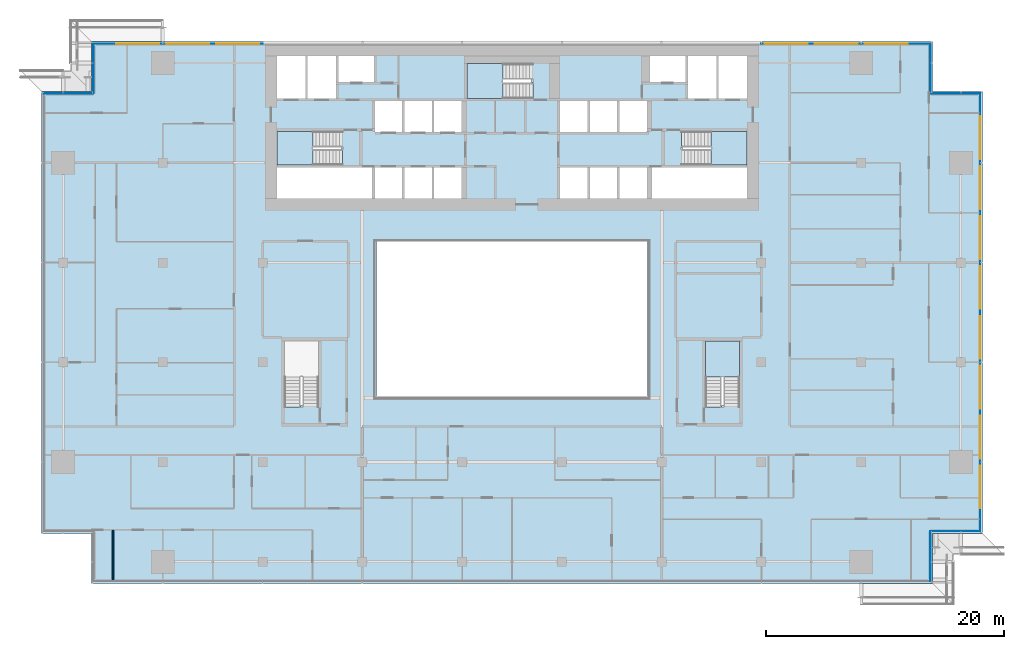
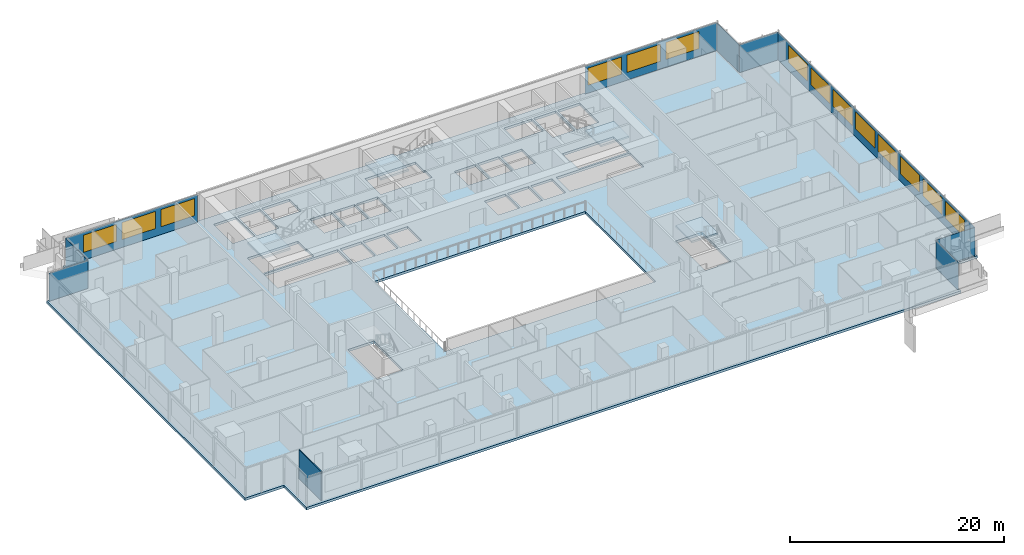
# One storey, part 17 of 30: 14 windows, 9 plates, 5 slabs, 1 wall, 14 openings, 12 elements without a shape of their own.
"""IFC4 building model written with IfcOpenShell, lengths in metres."""

import ifcopenshell
import ifcopenshell.guid

model = None  # the IFC model being written
_history = None  # IfcOwnerHistory: only IFC2X3 demands one
_inside = {}  # id of a spatial element -> (the spatial element, [elements in it])
_under = {}  # id of a project, library or spatial element -> (it, [spatial elements below it])
_declared = {}  # id of a project -> (the project, [libraries it declares])
_typed = {}  # id of a type object -> (the type object, [elements of that type])
_made_of = {}  # id of a material, layer set ... -> (it, [elements and type objects made of it])


def new_model(schema):
    """Start an empty IFC model of exactly this schema.

    Asked for "IFC4X3", IfcOpenShell would pick the latest addendum, in which some entities
    have other attributes; the version numbers below select the first issue.
    IFC2X3 requires an IfcOwnerHistory on every rooted entity: one is made here for all.
    """
    global model, _history
    if schema == "IFC4X3":
        model = ifcopenshell.file(schema_version=(4, 3, 0, 0))
    else:
        model = ifcopenshell.file(schema=schema)
    _inside.clear()
    _under.clear()
    _declared.clear()
    _typed.clear()
    _made_of.clear()
    _history = None
    if model.schema == "IFC2X3":
        org = make("IfcOrganization", Name="unknown")
        user = make(
            "IfcPersonAndOrganization",
            ThePerson=make("IfcPerson", FamilyName="unknown"),
            TheOrganization=org,
        )
        app = make(
            "IfcApplication",
            ApplicationDeveloper=org,
            Version="unknown",
            ApplicationFullName="unknown",
            ApplicationIdentifier="unknown",
        )
        _history = make(
            "IfcOwnerHistory",
            OwningUser=user,
            OwningApplication=app,
            ChangeAction="ADDED",
            CreationDate=0,
        )
    return model


def make(cls, **values):
    """One entity of the class cls with the attributes given. An attribute that is None is left unset."""
    return model.create_entity(
        cls, **{name: value for name, value in values.items() if value is not None}
    )


def rooted(cls, **values):
    """An entity with a GlobalId (a new one), such as an element, a storey or a relation."""
    return make(cls, GlobalId=ifcopenshell.guid.new(), OwnerHistory=_history, **values)


def si_unit(unit_type, name, prefix=None):
    """IfcSIUnit, for example si_unit("LENGTHUNIT", "METRE", prefix="MILLI")."""
    return make("IfcSIUnit", UnitType=unit_type, Prefix=prefix, Name=name)


def assignment(units):
    """IfcUnitAssignment: the units of a project."""
    return None if units is None else make("IfcUnitAssignment", Units=units)


def point(xyz):
    """IfcCartesianPoint."""
    return None if xyz is None else make("IfcCartesianPoint", Coordinates=xyz)


def direction(xyz):
    """IfcDirection."""
    return None if xyz is None else make("IfcDirection", DirectionRatios=xyz)


def frame(location, z_axis=None, x_axis=None):
    """IfcAxis2Placement3D, a coordinate frame: its origin and axes. An axis left out is left unset."""
    return make(
        "IfcAxis2Placement3D",
        Location=point(location),
        Axis=direction(z_axis),
        RefDirection=direction(x_axis),
    )


def frame_2d(location, x_axis=None):
    """IfcAxis2Placement2D, a coordinate frame in the plane: its origin and x axis."""
    return make(
        "IfcAxis2Placement2D", Location=point(location), RefDirection=direction(x_axis)
    )


def origin():
    """The frame at (0, 0, 0) with its axes left unset."""
    return frame((0.0, 0.0, 0.0))


def place(relative_to, where):
    """IfcLocalPlacement: puts the frame where relative to a parent placement (None: the world)."""
    return make(
        "IfcLocalPlacement", PlacementRelTo=relative_to, RelativePlacement=where
    )


def context(
    kind, dimensions, precision=None, world=None, true_north=None, identifier=None
):
    """IfcGeometricRepresentationContext, for example the 3D "Model" context."""
    return make(
        "IfcGeometricRepresentationContext",
        ContextIdentifier=identifier,
        ContextType=kind,
        CoordinateSpaceDimension=dimensions,
        Precision=precision,
        WorldCoordinateSystem=world,
        TrueNorth=true_north,
    )


def subcontext(parent, identifier, kind, view, scale=None):
    """IfcGeometricRepresentationSubContext, for example "Body" below "Model"."""
    return make(
        "IfcGeometricRepresentationSubContext",
        ContextIdentifier=identifier,
        ContextType=kind,
        ParentContext=parent,
        TargetScale=scale,
        TargetView=view,
    )


def project(units=None, contexts=None):
    """IfcProject with its units and contexts."""
    return rooted(
        "IfcProject",
        Name="project",
        RepresentationContexts=contexts,
        UnitsInContext=assignment(units),
    )


def spatial(cls, under=None, at=None, **own):
    """A site, building, storey or space (cls), placed at a placement, below another one or the project."""
    s = rooted(cls, ObjectPlacement=at, **own)
    if under is not None:
        _under.setdefault(under.id(), (under, []))[1].append(s)
    return s


def polyline(points):
    """IfcPolyline through the points."""
    return make("IfcPolyline", Points=[point(p) for p in points])


def profile(cls, at=None, kind="AREA", **sizes):
    """A parametric profile (cls). Its sizes go by their IFC names, for example OverallWidth=200.0."""
    return make(cls, ProfileType=kind, Position=at, **sizes)


def rectangle(**sizes):
    """IfcRectangleProfileDef."""
    return profile("IfcRectangleProfileDef", **sizes)


def outline(outer, holes=None, kind="AREA"):
    """IfcArbitraryClosedProfileDef: a profile drawn as a closed curve; with holes, ...WithVoids."""
    if holes is None:
        return make("IfcArbitraryClosedProfileDef", ProfileType=kind, OuterCurve=outer)
    return make(
        "IfcArbitraryProfileDefWithVoids",
        ProfileType=kind,
        OuterCurve=outer,
        InnerCurves=holes,
    )


def extrude(swept, where, along, depth):
    """IfcExtrudedAreaSolid: the profile swept, set in the frame where, extruded along a direction by depth."""
    return make(
        "IfcExtrudedAreaSolid",
        SweptArea=swept,
        Position=where,
        ExtrudedDirection=direction(along),
        Depth=depth,
    )


def shape(context_of_items, identifier, shape_type, items):
    """IfcShapeRepresentation: the items that make up one representation, for example the "Body"."""
    return make(
        "IfcShapeRepresentation",
        ContextOfItems=context_of_items,
        RepresentationIdentifier=identifier,
        RepresentationType=shape_type,
        Items=items,
    )


def material(Name=None, Category=None):
    """IfcMaterial."""
    return make("IfcMaterial", Name=Name, Category=Category)


def layer(
    of_material, thickness, ventilated=None, Name=None, Category=None, Priority=None
):
    """IfcMaterialLayer: one layer of a wall or slab, of a material (None: an air gap)."""
    return make(
        "IfcMaterialLayer",
        Material=of_material,
        LayerThickness=thickness,
        IsVentilated=ventilated,
        Name=Name,
        Category=Category,
        Priority=Priority,
    )


def layer_set(layers, Name=None):
    """IfcMaterialLayerSet."""
    return make("IfcMaterialLayerSet", MaterialLayers=layers, LayerSetName=Name)


def made_of(thing, what):
    """Note that an element or type object is made of a material, layer set ...; save() writes the relation."""
    if what is not None:
        _made_of.setdefault(what.id(), (what, []))[1].append(thing)
    return thing


def type_object(cls, material=None, **own):
    """A type object (cls), such as IfcWallType, which elements share."""
    return made_of(rooted(cls, **own), material)


def element(
    cls,
    number,
    at=None,
    inside=None,
    cuts=None,
    type_object=None,
    material=None,
    context=None,
    identifier="Body",
    shape_type=None,
    held_by="IfcProductDefinitionShape",
    body=None,
    shapes=None,
    **own,
):
    """One element of the class cls, such as IfcWall. Its Tag is "e" and its number.

    at: its placement. inside: the storey or other place that contains it. cuts: it is an
    opening in that element (IfcRelVoidsElement). A single representation is given by context,
    identifier, shape_type and body (its items); several are given by shapes. held_by: the class
    of the entity that holds the representations. save() writes the other relations.
    """
    e = rooted(cls, Tag="e%d" % number, ObjectPlacement=at, **own)
    if body is not None:
        shapes = [shape(context, identifier, shape_type, body)]
    if shapes is not None:
        e.Representation = make(held_by, Representations=shapes)
    if inside is not None:
        _inside.setdefault(inside.id(), (inside, []))[1].append(e)
    if cuts is not None:
        rooted(
            "IfcRelVoidsElement", RelatingBuildingElement=cuts, RelatedOpeningElement=e
        )
    if type_object is not None:
        _typed.setdefault(type_object.id(), (type_object, []))[1].append(e)
    return made_of(e, material)


def fill(opening, filler):
    """IfcRelFillsElement: the door or window that sits in an opening."""
    return rooted(
        "IfcRelFillsElement",
        RelatingOpeningElement=opening,
        RelatedBuildingElement=filler,
    )


def aggregate(whole, parts):
    """IfcRelAggregates: a whole, such as a stair, and the parts it consists of."""
    return rooted("IfcRelAggregates", RelatingObject=whole, RelatedObjects=parts)


def save(model, path):
    """Write the relations noted so far, then the file.

    IfcRelAggregates (storeys below a building ...), IfcRelContainedInSpatialStructure (elements
    in a storey), IfcRelDefinesByType, IfcRelAssociatesMaterial and IfcRelDeclares: one each for
    every whole, place, type object, material and project.
    """
    for whole, parts in _under.values():
        aggregate(whole, parts)
    for where, things in _inside.values():
        rooted(
            "IfcRelContainedInSpatialStructure",
            RelatedElements=things,
            RelatingStructure=where,
        )
    for kind, things in _typed.values():
        rooted("IfcRelDefinesByType", RelatedObjects=things, RelatingType=kind)
    for what, things in _made_of.values():
        rooted("IfcRelAssociatesMaterial", RelatedObjects=things, RelatingMaterial=what)
    for by, libraries in _declared.values():
        rooted("IfcRelDeclares", RelatingContext=by, RelatedDefinitions=libraries)
    model.write(path)


model = new_model("IFC4")

# Units and contexts
model_context = context("Model", 3, precision=1e-05, world=origin(), true_north=direction((0.0, 1.0)))
body_context = subcontext(model_context, "Body", "Model", "MODEL_VIEW")
ifc_project = project(units=[si_unit("LENGTHUNIT", "METRE"), si_unit("AREAUNIT", "SQUARE_METRE"), si_unit("VOLUMEUNIT", "CUBIC_METRE"), si_unit("PLANEANGLEUNIT", "RADIAN"), si_unit("MASSUNIT", "GRAM", prefix="KILO")], contexts=[model_context])

# Site, building, storey
site_placement = place(None, origin())
site = spatial("IfcSite", under=ifc_project, at=site_placement, CompositionType="ELEMENT")
building_placement = place(site_placement, origin())
building = spatial("IfcBuilding", under=site, at=building_placement, Name="Saffron Gate Tower", CompositionType="ELEMENT")
storey_placement = place(building_placement, frame((0.0, 0.0, 127.64990234375)))
storey = spatial("IfcBuildingStorey", under=building, at=storey_placement, Name="L30", CompositionType="ELEMENT", Elevation=127.64990234375)

# Curtain wall, plate, openings, windows
ifc_material_1 = material(Name="Aluminium, bronze anodised", Category="aluminium")
curtain_wall_type_1 = type_object("IfcCurtainWallType", Name="CWS2 curtain wall side facades", PredefinedType="NOTDEFINED", material=ifc_material_1)
curtain_wall_1_placement = place(storey_placement, origin())
curtain_wall_1 = element("IfcCurtainWall", 1, at=curtain_wall_1_placement, inside=storey, type_object=curtain_wall_type_1, Name="CWS2 run 4", PredefinedType="NOTDEFINED")
ifc_material_2 = material(Name="Fritted bronze-tinted laminated glass", Category="glass")
ifc_layer_1 = layer(ifc_material_2, 0.028076171875)
ifc_layer_set_1 = layer_set([ifc_layer_1], Name="CWS2 fixed glass")
plate_type_1 = type_object("IfcPlateType", Name="CWS2 fixed glass", PredefinedType="CURTAIN_PANEL", material=ifc_layer_set_1)
plate_1_placement = place(storey_placement, frame((127.02587890625, 34.387939453125, 0.0), z_axis=(0.0, 0.0, 1.0), x_axis=(0.0, 1.0, 0.0)))
plate_1 = element("IfcPlate", 2, at=plate_1_placement, type_object=plate_type_1, Name="CWS2 glass panel", PredefinedType="CURTAIN_PANEL", context=body_context, shape_type="SweptSolid", body=[
    extrude(rectangle(XDim=36.823974609375, YDim=0.028076171875, at=frame_2d((18.412109375, 0.0))), origin(), (0.0, 0.0, 1.0), 3.2001953125),
])
opening_1_placement = place(plate_1_placement, frame((1.912109375, 0.0, 0.89990234375)))
opening_1 = element("IfcOpeningElement", 3, at=opening_1_placement, cuts=plate_1, Name="Opening W1", PredefinedType="OPENING", context=body_context, shape_type="SweptSolid", body=[
    extrude(rectangle(XDim=3.60009765625, YDim=1.949951171875, at=frame_2d((1.800048828125, 0.97509765625))), frame((0.0, 0.02392578125, 0.0), z_axis=(0.0, -1.0, 0.0), x_axis=(1.0, 0.0, 0.0)), (0.0, 0.0, 1.0), 0.048095703125),
])
opening_2_placement = place(plate_1_placement, frame((6.112060546875, 0.0, 0.89990234375)))
opening_2 = element("IfcOpeningElement", 4, at=opening_2_placement, cuts=plate_1, Name="Opening W1", PredefinedType="OPENING", context=body_context, shape_type="SweptSolid", body=[
    extrude(rectangle(XDim=3.60009765625, YDim=1.949951171875, at=frame_2d((1.800048828125, 0.97509765625))), frame((0.0, 0.02392578125, 0.0), z_axis=(0.0, -1.0, 0.0), x_axis=(1.0, 0.0, 0.0)), (0.0, 0.0, 1.0), 0.048095703125),
])
opening_3_placement = place(plate_1_placement, frame((10.31201171875, 0.0, 0.89990234375)))
opening_3 = element("IfcOpeningElement", 5, at=opening_3_placement, cuts=plate_1, Name="Opening W1", PredefinedType="OPENING", context=body_context, shape_type="SweptSolid", body=[
    extrude(rectangle(XDim=3.60009765625, YDim=1.949951171875, at=frame_2d((1.800048828125, 0.97509765625))), frame((0.0, 0.02392578125, 0.0), z_axis=(0.0, -1.0, 0.0), x_axis=(1.0, 0.0, 0.0)), (0.0, 0.0, 1.0), 0.048095703125),
])
opening_4_placement = place(plate_1_placement, frame((14.511962890625, 0.0, 0.89990234375)))
opening_4 = element("IfcOpeningElement", 6, at=opening_4_placement, cuts=plate_1, Name="Opening W1", PredefinedType="OPENING", context=body_context, shape_type="SweptSolid", body=[
    extrude(rectangle(XDim=3.60009765625, YDim=1.949951171875, at=frame_2d((1.800048828125, 0.97509765625))), frame((0.0, 0.02392578125, 0.0), z_axis=(0.0, -1.0, 0.0), x_axis=(1.0, 0.0, 0.0)), (0.0, 0.0, 1.0), 0.048095703125),
])
opening_5_placement = place(plate_1_placement, frame((18.7119140625, 0.0, 0.89990234375)))
opening_5 = element("IfcOpeningElement", 7, at=opening_5_placement, cuts=plate_1, Name="Opening W1", PredefinedType="OPENING", context=body_context, shape_type="SweptSolid", body=[
    extrude(rectangle(XDim=3.60009765625, YDim=1.949951171875, at=frame_2d((1.800048828125, 0.97509765625))), frame((0.0, 0.02392578125, 0.0), z_axis=(0.0, -1.0, 0.0), x_axis=(1.0, 0.0, 0.0)), (0.0, 0.0, 1.0), 0.048095703125),
])
opening_6_placement = place(plate_1_placement, frame((22.912109375, 0.0, 0.89990234375)))
opening_6 = element("IfcOpeningElement", 8, at=opening_6_placement, cuts=plate_1, Name="Opening W1", PredefinedType="OPENING", context=body_context, shape_type="SweptSolid", body=[
    extrude(rectangle(XDim=3.60009765625, YDim=1.949951171875, at=frame_2d((1.800048828125, 0.97509765625))), frame((0.0, 0.02392578125, 0.0), z_axis=(0.0, -1.0, 0.0), x_axis=(1.0, 0.0, 0.0)), (0.0, 0.0, 1.0), 0.048095703125),
])
opening_7_placement = place(plate_1_placement, frame((27.112060546875, 0.0, 0.89990234375)))
opening_7 = element("IfcOpeningElement", 9, at=opening_7_placement, cuts=plate_1, Name="Opening W1", PredefinedType="OPENING", context=body_context, shape_type="SweptSolid", body=[
    extrude(rectangle(XDim=3.60009765625, YDim=1.949951171875, at=frame_2d((1.800048828125, 0.97509765625))), frame((0.0, 0.02392578125, 0.0), z_axis=(0.0, -1.0, 0.0), x_axis=(1.0, 0.0, 0.0)), (0.0, 0.0, 1.0), 0.048095703125),
])
opening_8_placement = place(plate_1_placement, frame((31.31201171875, 0.0, 0.89990234375)))
opening_8 = element("IfcOpeningElement", 10, at=opening_8_placement, cuts=plate_1, Name="Opening W1", PredefinedType="OPENING", context=body_context, shape_type="SweptSolid", body=[
    extrude(rectangle(XDim=3.60009765625, YDim=1.949951171875, at=frame_2d((1.800048828125, 0.97509765625))), frame((0.0, 0.02392578125, 0.0), z_axis=(0.0, -1.0, 0.0), x_axis=(1.0, 0.0, 0.0)), (0.0, 0.0, 1.0), 0.048095703125),
])
ifc_material_3 = material(Name="Fritted bronze-tinted laminated glass in bronze frame", Category="glass")
ifc_layer_2 = layer(ifc_material_3, 0.06005859375)
ifc_layer_set_2 = layer_set([ifc_layer_2], Name="W1 operable panel 3600x1950")
window_type = type_object("IfcWindowType", Name="W1 operable panel 3600x1950", PartitioningType="DOUBLE_PANEL_HORIZONTAL", PredefinedType="WINDOW", material=ifc_layer_set_2)
window_1_placement = place(opening_1_placement, origin())
window_1 = element("IfcWindow", 11, at=window_1_placement, type_object=window_type, Name="W1 operable panel", OverallHeight=1.949951171875, OverallWidth=3.60009765625, PartitioningType="SINGLE_PANEL", PredefinedType="WINDOW", context=body_context, shape_type="SweptSolid", body=[
    extrude(rectangle(XDim=3.60009765625, YDim=1.949951171875, at=frame_2d((1.800048828125, 0.97509765625))), frame((0.0, 0.013671875, 0.0), z_axis=(0.0, -1.0, 0.0), x_axis=(1.0, 0.0, 0.0)), (0.0, 0.0, 1.0), 0.027587890625),
])
fill(opening_1, window_1)
window_2_placement = place(opening_2_placement, origin())
window_2 = element("IfcWindow", 12, at=window_2_placement, type_object=window_type, Name="W1 operable panel", OverallHeight=1.949951171875, OverallWidth=3.60009765625, PartitioningType="SINGLE_PANEL", PredefinedType="WINDOW", context=body_context, shape_type="SweptSolid", body=[
    extrude(rectangle(XDim=3.60009765625, YDim=1.949951171875, at=frame_2d((1.800048828125, 0.97509765625))), frame((0.0, 0.013671875, 0.0), z_axis=(0.0, -1.0, 0.0), x_axis=(1.0, 0.0, 0.0)), (0.0, 0.0, 1.0), 0.027587890625),
])
fill(opening_2, window_2)
window_3_placement = place(opening_3_placement, origin())
window_3 = element("IfcWindow", 13, at=window_3_placement, type_object=window_type, Name="W1 operable panel", OverallHeight=1.949951171875, OverallWidth=3.60009765625, PartitioningType="SINGLE_PANEL", PredefinedType="WINDOW", context=body_context, shape_type="SweptSolid", body=[
    extrude(rectangle(XDim=3.60009765625, YDim=1.949951171875, at=frame_2d((1.800048828125, 0.97509765625))), frame((0.0, 0.013671875, 0.0), z_axis=(0.0, -1.0, 0.0), x_axis=(1.0, 0.0, 0.0)), (0.0, 0.0, 1.0), 0.027587890625),
])
fill(opening_3, window_3)
window_4_placement = place(opening_4_placement, origin())
window_4 = element("IfcWindow", 14, at=window_4_placement, type_object=window_type, Name="W1 operable panel", OverallHeight=1.949951171875, OverallWidth=3.60009765625, PartitioningType="SINGLE_PANEL", PredefinedType="WINDOW", context=body_context, shape_type="SweptSolid", body=[
    extrude(rectangle(XDim=3.60009765625, YDim=1.949951171875, at=frame_2d((1.800048828125, 0.97509765625))), frame((0.0, 0.013671875, 0.0), z_axis=(0.0, -1.0, 0.0), x_axis=(1.0, 0.0, 0.0)), (0.0, 0.0, 1.0), 0.027587890625),
])
fill(opening_4, window_4)
window_5_placement = place(opening_5_placement, origin())
window_5 = element("IfcWindow", 15, at=window_5_placement, type_object=window_type, Name="W1 operable panel", OverallHeight=1.949951171875, OverallWidth=3.60009765625, PartitioningType="SINGLE_PANEL", PredefinedType="WINDOW", context=body_context, shape_type="SweptSolid", body=[
    extrude(rectangle(XDim=3.60009765625, YDim=1.949951171875, at=frame_2d((1.800048828125, 0.97509765625))), frame((0.0, 0.013671875, 0.0), z_axis=(0.0, -1.0, 0.0), x_axis=(1.0, 0.0, 0.0)), (0.0, 0.0, 1.0), 0.027587890625),
])
fill(opening_5, window_5)
window_6_placement = place(opening_6_placement, origin())
window_6 = element("IfcWindow", 16, at=window_6_placement, type_object=window_type, Name="W1 operable panel", OverallHeight=1.949951171875, OverallWidth=3.60009765625, PartitioningType="SINGLE_PANEL", PredefinedType="WINDOW", context=body_context, shape_type="SweptSolid", body=[
    extrude(rectangle(XDim=3.60009765625, YDim=1.949951171875, at=frame_2d((1.800048828125, 0.97509765625))), frame((0.0, 0.013671875, 0.0), z_axis=(0.0, -1.0, 0.0), x_axis=(1.0, 0.0, 0.0)), (0.0, 0.0, 1.0), 0.027587890625),
])
fill(opening_6, window_6)
window_7_placement = place(opening_7_placement, origin())
window_7 = element("IfcWindow", 17, at=window_7_placement, type_object=window_type, Name="W1 operable panel", OverallHeight=1.949951171875, OverallWidth=3.60009765625, PartitioningType="SINGLE_PANEL", PredefinedType="WINDOW", context=body_context, shape_type="SweptSolid", body=[
    extrude(rectangle(XDim=3.60009765625, YDim=1.949951171875, at=frame_2d((1.800048828125, 0.97509765625))), frame((0.0, 0.013671875, 0.0), z_axis=(0.0, -1.0, 0.0), x_axis=(1.0, 0.0, 0.0)), (0.0, 0.0, 1.0), 0.027587890625),
])
fill(opening_7, window_7)
window_8_placement = place(opening_8_placement, origin())
window_8 = element("IfcWindow", 18, at=window_8_placement, type_object=window_type, Name="W1 operable panel", OverallHeight=1.949951171875, OverallWidth=3.60009765625, PartitioningType="SINGLE_PANEL", PredefinedType="WINDOW", context=body_context, shape_type="SweptSolid", body=[
    extrude(rectangle(XDim=3.60009765625, YDim=1.949951171875, at=frame_2d((1.800048828125, 0.97509765625))), frame((0.0, 0.013671875, 0.0), z_axis=(0.0, -1.0, 0.0), x_axis=(1.0, 0.0, 0.0)), (0.0, 0.0, 1.0), 0.027587890625),
])
fill(opening_8, window_8)
aggregate(curtain_wall_1, [plate_1, window_1, window_2, window_3, window_4, window_5, window_6, window_7, window_8])

# Curtain wall, plates, openings, windows
curtain_wall_type_2 = type_object("IfcCurtainWallType", Name="CWS3 curtain wall rear facade", PredefinedType="NOTDEFINED", material=ifc_material_1)
curtain_wall_2_placement = place(storey_placement, origin())
curtain_wall_2 = element("IfcCurtainWall", 19, at=curtain_wall_2_placement, inside=storey, type_object=curtain_wall_type_2, Name="CWS3 run 7", PredefinedType="NOTDEFINED")
ifc_material_4 = material(Name="Fritted grey-tinted laminated glass", Category="glass")
ifc_layer_3 = layer(ifc_material_4, 0.028076171875)
ifc_layer_set_3 = layer_set([ifc_layer_3], Name="CWS3 fixed glass")
plate_type_2 = type_object("IfcPlateType", Name="CWS3 fixed glass", PredefinedType="CURTAIN_PANEL", material=ifc_layer_set_3)
plate_2_placement = place(storey_placement, frame((122.81201171875, 75.426025390625, 0.0), z_axis=(0.0, 0.0, 1.0), x_axis=(-1.0, 0.0, 0.0)))
plate_2 = element("IfcPlate", 20, at=plate_2_placement, type_object=plate_type_2, Name="CWS3 glass panel", PredefinedType="CURTAIN_PANEL", context=body_context, shape_type="SweptSolid", body=[
    extrude(rectangle(XDim=14.2470703125, YDim=0.028076171875, at=frame_2d((7.12353515625, 0.0))), origin(), (0.0, 0.0, 1.0), 3.2001953125),
])
opening_9_placement = place(plate_2_placement, frame((1.912109375, 0.0, 0.89990234375)))
opening_9 = element("IfcOpeningElement", 21, at=opening_9_placement, cuts=plate_2, Name="Opening W1", PredefinedType="OPENING", context=body_context, shape_type="SweptSolid", body=[
    extrude(rectangle(XDim=3.60009765625, YDim=1.949951171875, at=frame_2d((1.800048828125, 0.97509765625))), frame((0.0, 0.02392578125, 0.0), z_axis=(0.0, -1.0, 0.0), x_axis=(1.0, 0.0, 0.0)), (0.0, 0.0, 1.0), 0.048095703125),
])
opening_10_placement = place(plate_2_placement, frame((6.112060546875, 0.0, 0.89990234375)))
opening_10 = element("IfcOpeningElement", 22, at=opening_10_placement, cuts=plate_2, Name="Opening W1", PredefinedType="OPENING", context=body_context, shape_type="SweptSolid", body=[
    extrude(rectangle(XDim=3.60009765625, YDim=1.949951171875, at=frame_2d((1.800048828125, 0.97509765625))), frame((0.0, 0.02392578125, 0.0), z_axis=(0.0, -1.0, 0.0), x_axis=(1.0, 0.0, 0.0)), (0.0, 0.0, 1.0), 0.048095703125),
])
opening_11_placement = place(plate_2_placement, frame((10.31201171875, 0.0, 0.89990234375)))
opening_11 = element("IfcOpeningElement", 23, at=opening_11_placement, cuts=plate_2, Name="Opening W1", PredefinedType="OPENING", context=body_context, shape_type="SweptSolid", body=[
    extrude(rectangle(XDim=3.60009765625, YDim=1.949951171875, at=frame_2d((1.800048828125, 0.97509765625))), frame((0.0, 0.02392578125, 0.0), z_axis=(0.0, -1.0, 0.0), x_axis=(1.0, 0.0, 0.0)), (0.0, 0.0, 1.0), 0.048095703125),
])
window_9_placement = place(opening_9_placement, origin())
window_9 = element("IfcWindow", 24, at=window_9_placement, type_object=window_type, Name="W1 operable panel", OverallHeight=1.949951171875, OverallWidth=3.60009765625, PartitioningType="SINGLE_PANEL", PredefinedType="WINDOW", context=body_context, shape_type="SweptSolid", body=[
    extrude(rectangle(XDim=3.60009765625, YDim=1.949951171875, at=frame_2d((1.800048828125, 0.97509765625))), frame((0.0, 0.013671875, 0.0), z_axis=(0.0, -1.0, 0.0), x_axis=(1.0, 0.0, 0.0)), (0.0, 0.0, 1.0), 0.027587890625),
])
fill(opening_9, window_9)
window_10_placement = place(opening_10_placement, origin())
window_10 = element("IfcWindow", 25, at=window_10_placement, type_object=window_type, Name="W1 operable panel", OverallHeight=1.949951171875, OverallWidth=3.60009765625, PartitioningType="SINGLE_PANEL", PredefinedType="WINDOW", context=body_context, shape_type="SweptSolid", body=[
    extrude(rectangle(XDim=3.60009765625, YDim=1.949951171875, at=frame_2d((1.800048828125, 0.97509765625))), frame((0.0, 0.013671875, 0.0), z_axis=(0.0, -1.0, 0.0), x_axis=(1.0, 0.0, 0.0)), (0.0, 0.0, 1.0), 0.027587890625),
])
fill(opening_10, window_10)
window_11_placement = place(opening_11_placement, origin())
window_11 = element("IfcWindow", 26, at=window_11_placement, type_object=window_type, Name="W1 operable panel", OverallHeight=1.949951171875, OverallWidth=3.60009765625, PartitioningType="SINGLE_PANEL", PredefinedType="WINDOW", context=body_context, shape_type="SweptSolid", body=[
    extrude(rectangle(XDim=3.60009765625, YDim=1.949951171875, at=frame_2d((1.800048828125, 0.97509765625))), frame((0.0, 0.013671875, 0.0), z_axis=(0.0, -1.0, 0.0), x_axis=(1.0, 0.0, 0.0)), (0.0, 0.0, 1.0), 0.027587890625),
])
fill(opening_11, window_11)
plate_3_placement = place(storey_placement, frame((66.635009765625, 75.426025390625, 0.0), z_axis=(0.0, 0.0, 1.0), x_axis=(-1.0, 0.0, 0.0)))
plate_3 = element("IfcPlate", 27, at=plate_3_placement, type_object=plate_type_2, Name="CWS3 glass panel", PredefinedType="CURTAIN_PANEL", context=body_context, shape_type="SweptSolid", body=[
    extrude(rectangle(XDim=14.2470703125, YDim=0.028076171875, at=frame_2d((7.12353515625, 0.0))), origin(), (0.0, 0.0, 1.0), 3.2001953125),
])
opening_12_placement = place(plate_3_placement, frame((0.3349609375, 0.0, 0.89990234375)))
opening_12 = element("IfcOpeningElement", 28, at=opening_12_placement, cuts=plate_3, Name="Opening W1", PredefinedType="OPENING", context=body_context, shape_type="SweptSolid", body=[
    extrude(rectangle(XDim=3.60009765625, YDim=1.949951171875, at=frame_2d((1.800048828125, 0.97509765625))), frame((0.0, 0.02392578125, 0.0), z_axis=(0.0, -1.0, 0.0), x_axis=(1.0, 0.0, 0.0)), (0.0, 0.0, 1.0), 0.048095703125),
])
opening_13_placement = place(plate_3_placement, frame((4.534912109375, 0.0, 0.89990234375)))
opening_13 = element("IfcOpeningElement", 29, at=opening_13_placement, cuts=plate_3, Name="Opening W1", PredefinedType="OPENING", context=body_context, shape_type="SweptSolid", body=[
    extrude(rectangle(XDim=3.60009765625, YDim=1.949951171875, at=frame_2d((1.800048828125, 0.97509765625))), frame((0.0, 0.02392578125, 0.0), z_axis=(0.0, -1.0, 0.0), x_axis=(1.0, 0.0, 0.0)), (0.0, 0.0, 1.0), 0.048095703125),
])
opening_14_placement = place(plate_3_placement, frame((8.735107421875, 0.0, 0.89990234375)))
opening_14 = element("IfcOpeningElement", 30, at=opening_14_placement, cuts=plate_3, Name="Opening W1", PredefinedType="OPENING", context=body_context, shape_type="SweptSolid", body=[
    extrude(rectangle(XDim=3.60009765625, YDim=1.949951171875, at=frame_2d((1.800048828125, 0.97509765625))), frame((0.0, 0.02392578125, 0.0), z_axis=(0.0, -1.0, 0.0), x_axis=(1.0, 0.0, 0.0)), (0.0, 0.0, 1.0), 0.048095703125),
])
window_12_placement = place(opening_12_placement, origin())
window_12 = element("IfcWindow", 31, at=window_12_placement, type_object=window_type, Name="W1 operable panel", OverallHeight=1.949951171875, OverallWidth=3.60009765625, PartitioningType="SINGLE_PANEL", PredefinedType="WINDOW", context=body_context, shape_type="SweptSolid", body=[
    extrude(rectangle(XDim=3.60009765625, YDim=1.949951171875, at=frame_2d((1.800048828125, 0.97509765625))), frame((0.0, 0.013671875, 0.0), z_axis=(0.0, -1.0, 0.0), x_axis=(1.0, 0.0, 0.0)), (0.0, 0.0, 1.0), 0.027587890625),
])
fill(opening_12, window_12)
window_13_placement = place(opening_13_placement, origin())
window_13 = element("IfcWindow", 32, at=window_13_placement, type_object=window_type, Name="W1 operable panel", OverallHeight=1.949951171875, OverallWidth=3.60009765625, PartitioningType="SINGLE_PANEL", PredefinedType="WINDOW", context=body_context, shape_type="SweptSolid", body=[
    extrude(rectangle(XDim=3.60009765625, YDim=1.949951171875, at=frame_2d((1.800048828125, 0.97509765625))), frame((0.0, 0.013671875, 0.0), z_axis=(0.0, -1.0, 0.0), x_axis=(1.0, 0.0, 0.0)), (0.0, 0.0, 1.0), 0.027587890625),
])
fill(opening_13, window_13)
window_14_placement = place(opening_14_placement, origin())
window_14 = element("IfcWindow", 33, at=window_14_placement, type_object=window_type, Name="W1 operable panel", OverallHeight=1.949951171875, OverallWidth=3.60009765625, PartitioningType="SINGLE_PANEL", PredefinedType="WINDOW", context=body_context, shape_type="SweptSolid", body=[
    extrude(rectangle(XDim=3.60009765625, YDim=1.949951171875, at=frame_2d((1.800048828125, 0.97509765625))), frame((0.0, 0.013671875, 0.0), z_axis=(0.0, -1.0, 0.0), x_axis=(1.0, 0.0, 0.0)), (0.0, 0.0, 1.0), 0.027587890625),
])
fill(opening_14, window_14)
aggregate(curtain_wall_2, [plate_2, plate_3, window_9, window_10, window_11, window_12, window_13, window_14])

# Curtain wall, plate
curtain_wall_type_3 = type_object("IfcCurtainWallType", Name="CWS4 curtain wall corner returns", PredefinedType="NOTDEFINED", material=ifc_material_1)
curtain_wall_3_placement = place(storey_placement, origin())
curtain_wall_3 = element("IfcCurtainWall", 34, at=curtain_wall_3_placement, inside=storey, type_object=curtain_wall_type_3, Name="CWS4 run 2", PredefinedType="NOTDEFINED")
ifc_layer_4 = layer(ifc_material_2, 0.028076171875)
ifc_layer_set_4 = layer_set([ifc_layer_4], Name="CWS4 fixed glass")
plate_type_3 = type_object("IfcPlateType", Name="CWS4 fixed glass", PredefinedType="CURTAIN_PANEL", material=ifc_layer_set_4)
plate_4_placement = place(storey_placement, frame((122.825927734375, 30.18798828125, 0.0), z_axis=(0.0, 0.0, 1.0), x_axis=(0.0, 1.0, 0.0)))
plate_4 = element("IfcPlate", 35, at=plate_4_placement, type_object=plate_type_3, Name="CWS4 glass panel", PredefinedType="CURTAIN_PANEL", context=body_context, shape_type="SweptSolid", body=[
    extrude(rectangle(XDim=4.172119140625, YDim=0.028076171875, at=frame_2d((2.0859375, 0.0))), origin(), (0.0, 0.0, 1.0), 3.2001953125),
])
aggregate(curtain_wall_3, [plate_4])

curtain_wall_4_placement = place(storey_placement, origin())
curtain_wall_4 = element("IfcCurtainWall", 36, at=curtain_wall_4_placement, inside=storey, type_object=curtain_wall_type_3, Name="CWS4 run 3", PredefinedType="NOTDEFINED")
plate_5_placement = place(storey_placement, frame((122.840087890625, 34.3740234375, 0.0), z_axis=(0.0, 0.0, 1.0), x_axis=(1.0, 0.0, 0.0)))
plate_5 = element("IfcPlate", 37, at=plate_5_placement, type_object=plate_type_3, Name="CWS4 glass panel", PredefinedType="CURTAIN_PANEL", context=body_context, shape_type="SweptSolid", body=[
    extrude(rectangle(XDim=4.171875, YDim=0.028076171875, at=frame_2d((2.0859375, 0.0))), origin(), (0.0, 0.0, 1.0), 3.2001953125),
])
aggregate(curtain_wall_4, [plate_5])

curtain_wall_5_placement = place(storey_placement, origin())
curtain_wall_5 = element("IfcCurtainWall", 38, at=curtain_wall_5_placement, inside=storey, type_object=curtain_wall_type_3, Name="CWS4 run 5", PredefinedType="NOTDEFINED")
plate_6_placement = place(storey_placement, frame((127.011962890625, 71.22607421875, 0.0), z_axis=(0.0, 0.0, 1.0), x_axis=(-1.0, 0.0, 0.0)))
plate_6 = element("IfcPlate", 39, at=plate_6_placement, type_object=plate_type_3, Name="CWS4 glass panel", PredefinedType="CURTAIN_PANEL", context=body_context, shape_type="SweptSolid", body=[
    extrude(rectangle(XDim=4.171875, YDim=0.028076171875, at=frame_2d((2.0859375, 0.0))), origin(), (0.0, 0.0, 1.0), 3.2001953125),
])
aggregate(curtain_wall_5, [plate_6])

curtain_wall_6_placement = place(storey_placement, origin())
curtain_wall_6 = element("IfcCurtainWall", 40, at=curtain_wall_6_placement, inside=storey, type_object=curtain_wall_type_3, Name="CWS4 run 6", PredefinedType="NOTDEFINED")
plate_7_placement = place(storey_placement, frame((122.825927734375, 71.239990234375, 0.0), z_axis=(0.0, 0.0, 1.0), x_axis=(0.0, 1.0, 0.0)))
plate_7 = element("IfcPlate", 41, at=plate_7_placement, type_object=plate_type_3, Name="CWS4 glass panel", PredefinedType="CURTAIN_PANEL", context=body_context, shape_type="SweptSolid", body=[
    extrude(rectangle(XDim=4.172119140625, YDim=0.028076171875, at=frame_2d((2.0859375, 0.0))), origin(), (0.0, 0.0, 1.0), 3.2001953125),
])
aggregate(curtain_wall_6, [plate_7])

curtain_wall_7_placement = place(storey_placement, origin())
curtain_wall_7 = element("IfcCurtainWall", 42, at=curtain_wall_7_placement, inside=storey, type_object=curtain_wall_type_3, Name="CWS4 run 8", PredefinedType="NOTDEFINED")
plate_8_placement = place(storey_placement, frame((52.3740234375, 75.412109375, 0.0), z_axis=(0.0, 0.0, 1.0), x_axis=(0.0, -1.0, 0.0)))
plate_8 = element("IfcPlate", 43, at=plate_8_placement, type_object=plate_type_3, Name="CWS4 glass panel", PredefinedType="CURTAIN_PANEL", context=body_context, shape_type="SweptSolid", body=[
    extrude(rectangle(XDim=4.172119140625, YDim=0.028076171875, at=frame_2d((2.0859375, 0.0))), origin(), (0.0, 0.0, 1.0), 3.2001953125),
])
aggregate(curtain_wall_7, [plate_8])

curtain_wall_8_placement = place(storey_placement, origin())
curtain_wall_8 = element("IfcCurtainWall", 44, at=curtain_wall_8_placement, inside=storey, type_object=curtain_wall_type_3, Name="CWS4 run 9", PredefinedType="NOTDEFINED")
plate_9_placement = place(storey_placement, frame((52.360107421875, 71.22607421875, 0.0), z_axis=(0.0, 0.0, 1.0), x_axis=(-1.0, 0.0, 0.0)))
plate_9 = element("IfcPlate", 45, at=plate_9_placement, type_object=plate_type_3, Name="CWS4 glass panel", PredefinedType="CURTAIN_PANEL", context=body_context, shape_type="SweptSolid", body=[
    extrude(rectangle(XDim=4.172119140625, YDim=0.028076171875, at=frame_2d((2.0859375, 0.0))), origin(), (0.0, 0.0, 1.0), 3.2001953125),
])
aggregate(curtain_wall_8, [plate_9])

# Slab
ifc_material_5 = material(Name="Concrete C40", Category="concrete")
ifc_layer_5 = layer(ifc_material_5, 0.280029296875)
ifc_layer_set_5 = layer_set([ifc_layer_5], Name="S2 FLOOR SLAB 280 CONCRETE C40")
slab_type_1 = type_object("IfcSlabType", Name="S2 FLOOR SLAB 280 CONCRETE C40", PredefinedType="FLOOR", material=ifc_layer_set_5)
slab_1_placement = place(storey_placement, frame((0.0, 0.0, -0.27978515625)))
element("IfcSlab", 46, at=slab_1_placement, inside=storey, type_object=slab_type_1, Name="S2 FLOOR SLAB", PredefinedType="FLOOR", context=body_context, shape_type="SweptSolid", body=[
    extrude(outline(polyline([(48.0, 34.199951171875), (52.199951171875, 34.199951171875), (52.199951171875, 30.0), (123.0, 30.0), (123.0, 34.199951171875), (127.199951171875, 34.199951171875), (127.199951171875, 71.39990234375), (123.0, 71.39990234375), (123.0, 75.60009765625), (52.199951171875, 75.60009765625), (52.199951171875, 71.39990234375), (48.0, 71.39990234375), (48.0, 34.199951171875)]), holes=[polyline([(67.800048828125, 62.39990234375), (67.800048828125, 65.0), (75.800048828125, 65.0), (75.800048828125, 62.39990234375), (67.800048828125, 62.39990234375)]), polyline([(67.800048828125, 65.199951171875), (67.800048828125, 68.050048828125), (73.25, 68.050048828125), (73.25, 66.550048828125), (73.34912109375, 66.550048828125), (73.34912109375, 65.199951171875), (67.800048828125, 65.199951171875)]), polyline([(67.800048828125, 70.800048828125), (67.800048828125, 74.39990234375), (70.199951171875, 74.39990234375), (70.199951171875, 70.800048828125), (67.800048828125, 70.800048828125)]), polyline([(68.449951171875, 44.85107421875), (68.449951171875, 50.39990234375), (71.300048828125, 50.39990234375), (71.300048828125, 44.949951171875), (69.800048828125, 44.949951171875), (69.800048828125, 44.85107421875), (68.449951171875, 44.85107421875)]), polyline([(70.39990234375, 70.800048828125), (70.39990234375, 74.39990234375), (72.800048828125, 74.39990234375), (72.800048828125, 70.800048828125), (70.39990234375, 70.800048828125)]), polyline([(73.0, 72.199951171875), (73.0, 74.39990234375), (76.0, 74.39990234375), (76.0, 72.199951171875), (73.0, 72.199951171875)]), polyline([(76.050048828125, 62.39990234375), (76.050048828125, 65.0), (78.35009765625, 65.0), (78.35009765625, 62.39990234375), (76.050048828125, 62.39990234375)]), polyline([(76.050048828125, 68.0), (76.050048828125, 70.60009765625), (78.35009765625, 70.60009765625), (78.35009765625, 68.0), (76.050048828125, 68.0)]), polyline([(76.199951171875, 45.60009765625), (76.199951171875, 58.800048828125), (99.0, 58.800048828125), (99.0, 45.60009765625), (76.199951171875, 45.60009765625)]), polyline([(78.550048828125, 62.39990234375), (78.550048828125, 65.0), (80.85009765625, 65.0), (80.85009765625, 62.39990234375), (78.550048828125, 62.39990234375)]), polyline([(78.550048828125, 68.0), (78.550048828125, 70.60009765625), (80.85009765625, 70.60009765625), (80.85009765625, 68.0), (78.550048828125, 68.0)]), polyline([(81.050048828125, 62.39990234375), (81.050048828125, 65.0), (83.35009765625, 65.0), (83.35009765625, 62.39990234375), (81.050048828125, 62.39990234375)]), polyline([(81.050048828125, 68.0), (81.050048828125, 70.60009765625), (83.35009765625, 70.60009765625), (83.35009765625, 68.0), (81.050048828125, 68.0)]), polyline([(83.800048828125, 70.800048828125), (83.800048828125, 73.75), (89.25, 73.75), (89.25, 72.14990234375), (89.34912109375, 72.14990234375), (89.34912109375, 70.800048828125), (83.800048828125, 70.800048828125)]), polyline([(91.64990234375, 62.39990234375), (91.64990234375, 65.0), (93.949951171875, 65.0), (93.949951171875, 62.39990234375), (91.64990234375, 62.39990234375)]), polyline([(91.64990234375, 68.0), (91.64990234375, 70.60009765625), (93.949951171875, 70.60009765625), (93.949951171875, 68.0), (91.64990234375, 68.0)]), polyline([(94.14990234375, 62.39990234375), (94.14990234375, 65.0), (96.449951171875, 65.0), (96.449951171875, 62.39990234375), (94.14990234375, 62.39990234375)]), polyline([(94.14990234375, 68.0), (94.14990234375, 70.60009765625), (96.449951171875, 70.60009765625), (96.449951171875, 68.0), (94.14990234375, 68.0)]), polyline([(96.64990234375, 62.39990234375), (96.64990234375, 65.0), (98.949951171875, 65.0), (98.949951171875, 62.39990234375), (96.64990234375, 62.39990234375)]), polyline([(96.64990234375, 68.0), (96.64990234375, 70.60009765625), (98.949951171875, 70.60009765625), (98.949951171875, 68.0), (96.64990234375, 68.0)]), polyline([(99.199951171875, 72.199951171875), (99.199951171875, 74.39990234375), (102.199951171875, 74.39990234375), (102.199951171875, 72.199951171875), (99.199951171875, 72.199951171875)]), polyline([(99.39990234375, 62.39990234375), (99.39990234375, 65.0), (107.39990234375, 65.0), (107.39990234375, 62.39990234375), (99.39990234375, 62.39990234375)]), polyline([(101.85107421875, 66.699951171875), (101.85107421875, 68.050048828125), (107.39990234375, 68.050048828125), (107.39990234375, 65.199951171875), (101.949951171875, 65.199951171875), (101.949951171875, 66.699951171875), (101.85107421875, 66.699951171875)]), polyline([(102.39990234375, 70.800048828125), (102.39990234375, 74.39990234375), (104.800048828125, 74.39990234375), (104.800048828125, 70.800048828125), (102.39990234375, 70.800048828125)]), polyline([(103.89990234375, 44.85107421875), (103.89990234375, 50.39990234375), (106.75, 50.39990234375), (106.75, 44.949951171875), (105.25, 44.949951171875), (105.25, 44.85107421875), (103.89990234375, 44.85107421875)]), polyline([(105.0, 70.800048828125), (105.0, 74.39990234375), (107.39990234375, 74.39990234375), (107.39990234375, 70.800048828125), (105.0, 70.800048828125)])]), origin(), (0.0, 0.0, 1.0), 0.27978515625),
])

# Stair, slab
stair_type = type_object("IfcStairType", Name="ST7 Stair 1350 wide, 20 risers of 180", PredefinedType="HALF_TURN_STAIR", material=ifc_material_5)
stair_1_placement = place(storey_placement, origin())
stair_1 = element("IfcStair", 47, at=stair_1_placement, inside=storey, type_object=stair_type, Name="L30 Exit stair A", PredefinedType="HALF_TURN_STAIR")
ifc_layer_6 = layer(ifc_material_5, 0.199951171875)
ifc_layer_set_6 = layer_set([ifc_layer_6], Name="SL1 Stair landing 200")
slab_type_2 = type_object("IfcSlabType", Name="SL1 Stair landing 200", PredefinedType="LANDING", material=ifc_layer_set_6)
slab_2_placement = place(storey_placement, frame((0.0, 0.0, 1.60009765625)))
slab_2 = element("IfcSlab", 48, at=slab_2_placement, type_object=slab_type_2, Name="ST-A landing 1", PredefinedType="LANDING", context=body_context, shape_type="SweptSolid", body=[
    extrude(outline(polyline([(70.830078125, 68.050048828125), (67.800048828125, 68.050048828125), (67.800048828125, 65.199951171875), (70.830078125, 65.199951171875), (70.830078125, 68.050048828125)])), origin(), (0.0, 0.0, 1.0), 0.199951171875),
])
aggregate(stair_1, [slab_2])

stair_2_placement = place(storey_placement, origin())
stair_2 = element("IfcStair", 49, at=stair_2_placement, inside=storey, type_object=stair_type, Name="L30 Exit stair B", PredefinedType="HALF_TURN_STAIR")
slab_3_placement = place(storey_placement, frame((0.0, 0.0, 1.60009765625)))
slab_3 = element("IfcSlab", 50, at=slab_3_placement, type_object=slab_type_2, Name="ST-B landing 1", PredefinedType="LANDING", context=body_context, shape_type="SweptSolid", body=[
    extrude(outline(polyline([(104.3701171875, 65.199951171875), (107.39990234375, 65.199951171875), (107.39990234375, 68.050048828125), (104.3701171875, 68.050048828125), (104.3701171875, 65.199951171875)])), origin(), (0.0, 0.0, 1.0), 0.199951171875),
])
aggregate(stair_2, [slab_3])

stair_3_placement = place(storey_placement, origin())
stair_3 = element("IfcStair", 51, at=stair_3_placement, inside=storey, type_object=stair_type, Name="L30 Exit stair C", PredefinedType="HALF_TURN_STAIR")
slab_4_placement = place(storey_placement, frame((0.0, 0.0, 1.60009765625)))
slab_4 = element("IfcSlab", 52, at=slab_4_placement, type_object=slab_type_2, Name="ST-C landing 1", PredefinedType="LANDING", context=body_context, shape_type="SweptSolid", body=[
    extrude(outline(polyline([(86.830078125, 73.75), (83.800048828125, 73.75), (83.800048828125, 70.800048828125), (86.830078125, 70.800048828125), (86.830078125, 73.75)])), origin(), (0.0, 0.0, 1.0), 0.199951171875),
])
aggregate(stair_3, [slab_4])

stair_4_placement = place(storey_placement, origin())
stair_4 = element("IfcStair", 53, at=stair_4_placement, inside=storey, type_object=stair_type, Name="L30 Exit stair E", PredefinedType="HALF_TURN_STAIR")
slab_5_placement = place(storey_placement, frame((0.0, 0.0, 1.60009765625)))
slab_5 = element("IfcSlab", 54, at=slab_5_placement, type_object=slab_type_2, Name="ST-E landing 1", PredefinedType="LANDING", context=body_context, shape_type="SweptSolid", body=[
    extrude(outline(polyline([(106.75, 47.3701171875), (106.75, 50.39990234375), (103.89990234375, 50.39990234375), (103.89990234375, 47.3701171875), (106.75, 47.3701171875)])), origin(), (0.0, 0.0, 1.0), 0.199951171875),
])
aggregate(stair_4, [slab_5])

# Wall
ifc_material_6 = material(Name="Plasterboard on steel studs", Category="steel")
ifc_layer_7 = layer(ifc_material_6, 0.10009765625)
ifc_layer_set_7 = layer_set([ifc_layer_7], Name="PW1 Partition 100")
wall_type = type_object("IfcWallType", Name="PW1 Partition 100", PredefinedType="PARTITIONING", material=ifc_layer_set_7)
wall_placement = place(storey_placement, frame((54.0, 34.449951171875, 0.0), z_axis=(0.0, 0.0, 1.0), x_axis=(0.0, -1.0, 0.0)))
element("IfcWall", 55, at=wall_placement, inside=storey, type_object=wall_type, Name="Partition B4-54", PredefinedType="PARTITIONING", context=body_context, shape_type="SweptSolid", body=[
    extrude(rectangle(XDim=4.169921875, YDim=0.10009765625, at=frame_2d((2.0849609375, 0.0))), origin(), (0.0, 0.0, 1.0), 3.320068359375),
])

save(model, "model.ifc")
